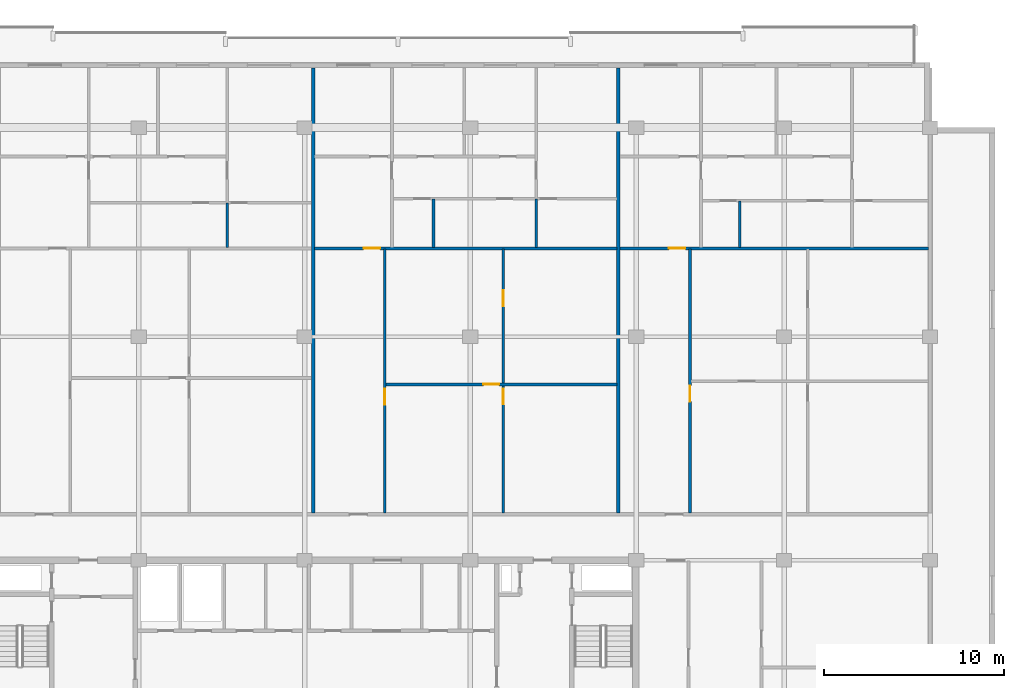
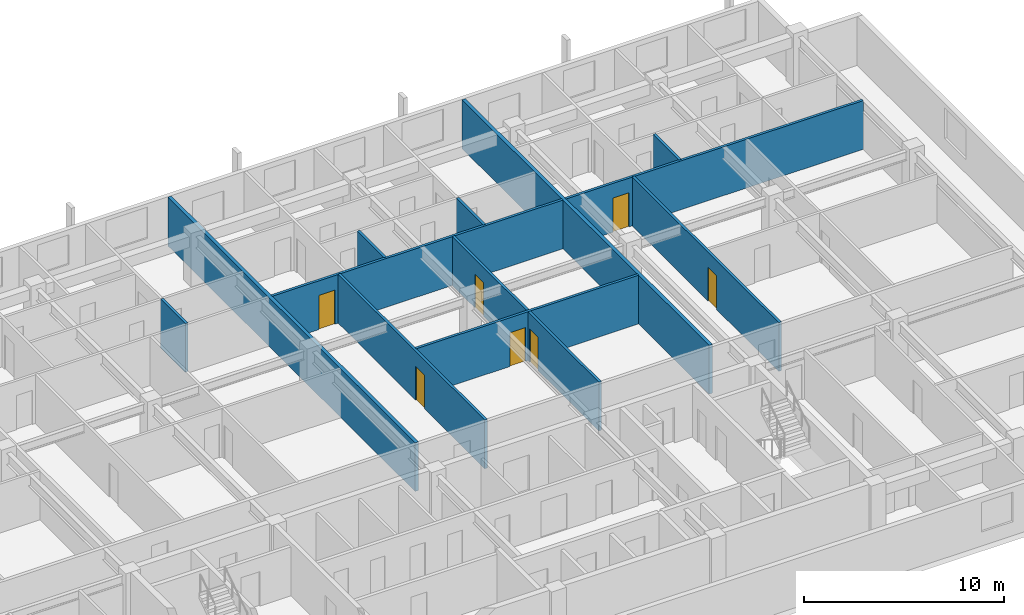
# One storey, part 14 of 23: 12 walls, 7 doors, 7 openings.
"""IFC4 building model written with IfcOpenShell, lengths in metres."""

import ifcopenshell
import ifcopenshell.guid

model = None  # the IFC model being written
_history = None  # IfcOwnerHistory: only IFC2X3 demands one
_inside = {}  # id of a spatial element -> (the spatial element, [elements in it])
_under = {}  # id of a project, library or spatial element -> (it, [spatial elements below it])
_declared = {}  # id of a project -> (the project, [libraries it declares])
_typed = {}  # id of a type object -> (the type object, [elements of that type])
_made_of = {}  # id of a material, layer set ... -> (it, [elements and type objects made of it])


def new_model(schema):
    """Start an empty IFC model of exactly this schema.

    Asked for "IFC4X3", IfcOpenShell would pick the latest addendum, in which some entities
    have other attributes; the version numbers below select the first issue.
    IFC2X3 requires an IfcOwnerHistory on every rooted entity: one is made here for all.
    """
    global model, _history
    if schema == "IFC4X3":
        model = ifcopenshell.file(schema_version=(4, 3, 0, 0))
    else:
        model = ifcopenshell.file(schema=schema)
    _inside.clear()
    _under.clear()
    _declared.clear()
    _typed.clear()
    _made_of.clear()
    _history = None
    if model.schema == "IFC2X3":
        org = make("IfcOrganization", Name="unknown")
        user = make(
            "IfcPersonAndOrganization",
            ThePerson=make("IfcPerson", FamilyName="unknown"),
            TheOrganization=org,
        )
        app = make(
            "IfcApplication",
            ApplicationDeveloper=org,
            Version="unknown",
            ApplicationFullName="unknown",
            ApplicationIdentifier="unknown",
        )
        _history = make(
            "IfcOwnerHistory",
            OwningUser=user,
            OwningApplication=app,
            ChangeAction="ADDED",
            CreationDate=0,
        )
    return model


def make(cls, **values):
    """One entity of the class cls with the attributes given. An attribute that is None is left unset."""
    return model.create_entity(
        cls, **{name: value for name, value in values.items() if value is not None}
    )


def rooted(cls, **values):
    """An entity with a GlobalId (a new one), such as an element, a storey or a relation."""
    return make(cls, GlobalId=ifcopenshell.guid.new(), OwnerHistory=_history, **values)


def si_unit(unit_type, name, prefix=None):
    """IfcSIUnit, for example si_unit("LENGTHUNIT", "METRE", prefix="MILLI")."""
    return make("IfcSIUnit", UnitType=unit_type, Prefix=prefix, Name=name)


def assignment(units):
    """IfcUnitAssignment: the units of a project."""
    return None if units is None else make("IfcUnitAssignment", Units=units)


def point(xyz):
    """IfcCartesianPoint."""
    return None if xyz is None else make("IfcCartesianPoint", Coordinates=xyz)


def direction(xyz):
    """IfcDirection."""
    return None if xyz is None else make("IfcDirection", DirectionRatios=xyz)


def frame(location, z_axis=None, x_axis=None):
    """IfcAxis2Placement3D, a coordinate frame: its origin and axes. An axis left out is left unset."""
    return make(
        "IfcAxis2Placement3D",
        Location=point(location),
        Axis=direction(z_axis),
        RefDirection=direction(x_axis),
    )


def frame_2d(location, x_axis=None):
    """IfcAxis2Placement2D, a coordinate frame in the plane: its origin and x axis."""
    return make(
        "IfcAxis2Placement2D", Location=point(location), RefDirection=direction(x_axis)
    )


def origin():
    """The frame at (0, 0, 0) with its axes left unset."""
    return frame((0.0, 0.0, 0.0))


def place(relative_to, where):
    """IfcLocalPlacement: puts the frame where relative to a parent placement (None: the world)."""
    return make(
        "IfcLocalPlacement", PlacementRelTo=relative_to, RelativePlacement=where
    )


def context(
    kind, dimensions, precision=None, world=None, true_north=None, identifier=None
):
    """IfcGeometricRepresentationContext, for example the 3D "Model" context."""
    return make(
        "IfcGeometricRepresentationContext",
        ContextIdentifier=identifier,
        ContextType=kind,
        CoordinateSpaceDimension=dimensions,
        Precision=precision,
        WorldCoordinateSystem=world,
        TrueNorth=true_north,
    )


def subcontext(parent, identifier, kind, view, scale=None):
    """IfcGeometricRepresentationSubContext, for example "Body" below "Model"."""
    return make(
        "IfcGeometricRepresentationSubContext",
        ContextIdentifier=identifier,
        ContextType=kind,
        ParentContext=parent,
        TargetScale=scale,
        TargetView=view,
    )


def project(units=None, contexts=None):
    """IfcProject with its units and contexts."""
    return rooted(
        "IfcProject",
        Name="project",
        RepresentationContexts=contexts,
        UnitsInContext=assignment(units),
    )


def spatial(cls, under=None, at=None, **own):
    """A site, building, storey or space (cls), placed at a placement, below another one or the project."""
    s = rooted(cls, ObjectPlacement=at, **own)
    if under is not None:
        _under.setdefault(under.id(), (under, []))[1].append(s)
    return s


def profile(cls, at=None, kind="AREA", **sizes):
    """A parametric profile (cls). Its sizes go by their IFC names, for example OverallWidth=200.0."""
    return make(cls, ProfileType=kind, Position=at, **sizes)


def rectangle(**sizes):
    """IfcRectangleProfileDef."""
    return profile("IfcRectangleProfileDef", **sizes)


def extrude(swept, where, along, depth):
    """IfcExtrudedAreaSolid: the profile swept, set in the frame where, extruded along a direction by depth."""
    return make(
        "IfcExtrudedAreaSolid",
        SweptArea=swept,
        Position=where,
        ExtrudedDirection=direction(along),
        Depth=depth,
    )


def shape(context_of_items, identifier, shape_type, items):
    """IfcShapeRepresentation: the items that make up one representation, for example the "Body"."""
    return make(
        "IfcShapeRepresentation",
        ContextOfItems=context_of_items,
        RepresentationIdentifier=identifier,
        RepresentationType=shape_type,
        Items=items,
    )


def material(Name=None, Category=None):
    """IfcMaterial."""
    return make("IfcMaterial", Name=Name, Category=Category)


def layer(
    of_material, thickness, ventilated=None, Name=None, Category=None, Priority=None
):
    """IfcMaterialLayer: one layer of a wall or slab, of a material (None: an air gap)."""
    return make(
        "IfcMaterialLayer",
        Material=of_material,
        LayerThickness=thickness,
        IsVentilated=ventilated,
        Name=Name,
        Category=Category,
        Priority=Priority,
    )


def layer_set(layers, Name=None):
    """IfcMaterialLayerSet."""
    return make("IfcMaterialLayerSet", MaterialLayers=layers, LayerSetName=Name)


def made_of(thing, what):
    """Note that an element or type object is made of a material, layer set ...; save() writes the relation."""
    if what is not None:
        _made_of.setdefault(what.id(), (what, []))[1].append(thing)
    return thing


def type_object(cls, material=None, **own):
    """A type object (cls), such as IfcWallType, which elements share."""
    return made_of(rooted(cls, **own), material)


def element(
    cls,
    number,
    at=None,
    inside=None,
    cuts=None,
    type_object=None,
    material=None,
    context=None,
    identifier="Body",
    shape_type=None,
    held_by="IfcProductDefinitionShape",
    body=None,
    shapes=None,
    **own,
):
    """One element of the class cls, such as IfcWall. Its Tag is "e" and its number.

    at: its placement. inside: the storey or other place that contains it. cuts: it is an
    opening in that element (IfcRelVoidsElement). A single representation is given by context,
    identifier, shape_type and body (its items); several are given by shapes. held_by: the class
    of the entity that holds the representations. save() writes the other relations.
    """
    e = rooted(cls, Tag="e%d" % number, ObjectPlacement=at, **own)
    if body is not None:
        shapes = [shape(context, identifier, shape_type, body)]
    if shapes is not None:
        e.Representation = make(held_by, Representations=shapes)
    if inside is not None:
        _inside.setdefault(inside.id(), (inside, []))[1].append(e)
    if cuts is not None:
        rooted(
            "IfcRelVoidsElement", RelatingBuildingElement=cuts, RelatedOpeningElement=e
        )
    if type_object is not None:
        _typed.setdefault(type_object.id(), (type_object, []))[1].append(e)
    return made_of(e, material)


def fill(opening, filler):
    """IfcRelFillsElement: the door or window that sits in an opening."""
    return rooted(
        "IfcRelFillsElement",
        RelatingOpeningElement=opening,
        RelatedBuildingElement=filler,
    )


def aggregate(whole, parts):
    """IfcRelAggregates: a whole, such as a stair, and the parts it consists of."""
    return rooted("IfcRelAggregates", RelatingObject=whole, RelatedObjects=parts)


def save(model, path):
    """Write the relations noted so far, then the file.

    IfcRelAggregates (storeys below a building ...), IfcRelContainedInSpatialStructure (elements
    in a storey), IfcRelDefinesByType, IfcRelAssociatesMaterial and IfcRelDeclares: one each for
    every whole, place, type object, material and project.
    """
    for whole, parts in _under.values():
        aggregate(whole, parts)
    for where, things in _inside.values():
        rooted(
            "IfcRelContainedInSpatialStructure",
            RelatedElements=things,
            RelatingStructure=where,
        )
    for kind, things in _typed.values():
        rooted("IfcRelDefinesByType", RelatedObjects=things, RelatingType=kind)
    for what, things in _made_of.values():
        rooted("IfcRelAssociatesMaterial", RelatedObjects=things, RelatingMaterial=what)
    for by, libraries in _declared.values():
        rooted("IfcRelDeclares", RelatingContext=by, RelatedDefinitions=libraries)
    model.write(path)


model = new_model("IFC4")

# Units and contexts
model_context = context("Model", 3, precision=1e-05, world=origin(), true_north=direction((0.0, 1.0)))
body_context = subcontext(model_context, "Body", "Model", "MODEL_VIEW")
ifc_project = project(units=[si_unit("LENGTHUNIT", "METRE"), si_unit("AREAUNIT", "SQUARE_METRE"), si_unit("VOLUMEUNIT", "CUBIC_METRE"), si_unit("PLANEANGLEUNIT", "RADIAN"), si_unit("MASSUNIT", "GRAM", prefix="KILO")], contexts=[model_context])

# Site, building, storey
site_placement = place(None, origin())
site = spatial("IfcSite", under=ifc_project, at=site_placement, CompositionType="ELEMENT")
building_placement = place(site_placement, origin())
building = spatial("IfcBuilding", under=site, at=building_placement, Name="Korimba Cascade Residences", CompositionType="ELEMENT")
storey_placement = place(building_placement, frame((0.0, 0.0, 162.10009765625)))
storey = spatial("IfcBuildingStorey", under=building, at=storey_placement, Name="L46", CompositionType="ELEMENT", Elevation=162.10009765625)

# Walls
ifc_material_1 = material(Name="Precast concrete C40/50", Category="concrete")
ifc_layer_1 = layer(ifc_material_1, 0.199951171875)
ifc_layer_set_1 = layer_set([ifc_layer_1], Name="Precast concrete C40/50")
wall_type_1 = type_object("IfcWallType", Name="WAL-IT-200", PredefinedType="PARTITIONING", material=ifc_layer_set_1)
for number, where, z_axis, x_axis, name in (
    (1, (94.175048828125, 69.830078125, 0.0), (0.0, 0.0, 1.0), (0.0, 1.0, 0.0), "L46 Partition Wall WAL-L46-T1-DEM-2"),
    (2, (111.110107421875, 69.830078125, 0.0), (0.0, 0.0, 1.0), (0.0, 1.0, 0.0), "L46 Partition Wall WAL-L46-T1-DEM-3"),
):
    element("IfcWall", number, at=place(storey_placement, frame(where, z_axis=z_axis, x_axis=x_axis)), inside=storey, type_object=wall_type_1, Name=name, PredefinedType="PARTITIONING", context=body_context, shape_type="SweptSolid", body=[
        extrude(rectangle(XDim=24.669921875, YDim=0.199951171875, at=frame_2d((12.3349609375, 0.0))), origin(), (0.0, 0.0, 1.0), 2.969970703125),
    ])
ifc_material_2 = material(Name="Insulated Acoustic Stud Partition", Category="gypsum")
ifc_layer_2 = layer(ifc_material_2, 0.14990234375)
ifc_layer_set_2 = layer_set([ifc_layer_2], Name="Insulated Acoustic Stud Partition")
wall_type_2 = type_object("IfcWallType", Name="WAL-PART-150", PredefinedType="PARTITIONING", material=ifc_layer_set_2)
wall_1_placement = place(storey_placement, frame((89.405029296875, 84.5400390625, 0.0), z_axis=(0.0, 0.0, 1.0), x_axis=(0.0, 1.0, 0.0)))
element("IfcWall", 3, at=wall_1_placement, inside=storey, type_object=wall_type_2, Name="L46 Partition Wall WAL-L46-T1-U02-VBATH", PredefinedType="PARTITIONING", context=body_context, shape_type="SweptSolid", body=[
    extrude(rectangle(XDim=2.469970703125, YDim=0.14990234375, at=frame_2d((1.23486328125, 0.0))), origin(), (0.0, 0.0, 1.0), 2.969970703125),
])

# Wall, openings, doors
wall_2_placement = place(storey_placement, frame((104.717529296875, 69.81005859375, 0.0), z_axis=(0.0, 0.0, 1.0), x_axis=(0.0, 1.0, 0.0)))
wall_2 = element("IfcWall", 4, at=wall_2_placement, inside=storey, type_object=wall_type_2, Name="L46 Partition Wall WAL-L46-T1-U03-FMV", PredefinedType="PARTITIONING", context=body_context, shape_type="SweptSolid", body=[
    extrude(rectangle(XDim=14.64990234375, YDim=0.14990234375, at=frame_2d((7.324951171875, 0.0))), origin(), (0.0, 0.0, 1.0), 2.969970703125),
])
opening_1_placement = place(wall_2_placement, frame((6.054931640625, 0.0, 0.0)))
opening_1 = element("IfcOpeningElement", 5, at=opening_1_placement, cuts=wall_2, Name="Opening D-BT1", PredefinedType="OPENING", context=body_context, shape_type="SweptSolid", body=[
    extrude(rectangle(XDim=0.840087890625, YDim=2.0400390625, at=frame_2d((0.419921875, 1.02001953125))), frame((0.0, 0.0849609375, 0.0), z_axis=(0.0, -1.0, 0.0), x_axis=(1.0, 0.0, 0.0)), (0.0, 0.0, 1.0), 0.169921875),
])
opening_2_placement = place(wall_2_placement, frame((11.491943359375, 0.0, 0.0)))
opening_2 = element("IfcOpeningElement", 6, at=opening_2_placement, cuts=wall_2, Name="Opening D-IN2", PredefinedType="OPENING", context=body_context, shape_type="SweptSolid", body=[
    extrude(rectangle(XDim=0.8798828125, YDim=2.06005859375, at=frame_2d((0.43994140625, 1.030029296875))), frame((0.0, 0.0849609375, 0.0), z_axis=(0.0, -1.0, 0.0), x_axis=(1.0, 0.0, 0.0)), (0.0, 0.0, 1.0), 0.169921875),
])
ifc_material_3 = material(Name="Moisture-Resistant Bathroom Timber Door", Category="wood")
door_type_1 = type_object("IfcDoorType", Name="DR-INT-850", OperationType="NOTDEFINED", PredefinedType="DOOR", material=ifc_material_3)
door_1_placement = place(opening_1_placement, origin())
door_1 = element("IfcDoor", 7, at=door_1_placement, inside=storey, type_object=door_type_1, Name="L46-T1-U03 Wardrobe Door", OperationType="SINGLE_SWING_LEFT", OverallHeight=2.0400390625, OverallWidth=0.840087890625, PredefinedType="DOOR", context=body_context, shape_type="SweptSolid", body=[
    extrude(rectangle(XDim=0.840087890625, YDim=2.0400390625, at=frame_2d((0.419921875, 1.02001953125))), frame((0.0, 0.02490234375, 0.0), z_axis=(0.0, -1.0, 0.0), x_axis=(1.0, 0.0, 0.0)), (0.0, 0.0, 1.0), 0.050048828125),
])
fill(opening_1, door_1)
ifc_material_4 = material(Name="Acoustic Timber Bedroom Door", Category="wood")
door_type_2 = type_object("IfcDoorType", Name="DR-INT-880", OperationType="NOTDEFINED", PredefinedType="DOOR", material=ifc_material_4)
door_2_placement = place(opening_2_placement, origin())
door_2 = element("IfcDoor", 8, at=door_2_placement, inside=storey, type_object=door_type_2, Name="L46-T1-U03 Music Lounge Door", OperationType="SINGLE_SWING_RIGHT", OverallHeight=2.06005859375, OverallWidth=0.8798828125, PredefinedType="DOOR", context=body_context, shape_type="SweptSolid", body=[
    extrude(rectangle(XDim=0.8798828125, YDim=2.06005859375, at=frame_2d((0.43994140625, 1.030029296875))), frame((0.0, 0.02490234375, 0.0), z_axis=(0.0, -1.0, 0.0), x_axis=(1.0, 0.0, 0.0)), (0.0, 0.0, 1.0), 0.050048828125),
])
fill(opening_2, door_2)

# Wall, opening, door
wall_3_placement = place(storey_placement, frame((98.205078125, 76.955078125, 0.0), z_axis=(0.0, 0.0, 1.0), x_axis=(1.0, 0.0, 0.0)))
wall_3 = element("IfcWall", 9, at=wall_3_placement, inside=storey, type_object=wall_type_2, Name="L46 Partition Wall WAL-L46-T1-U03-FMH", PredefinedType="PARTITIONING", context=body_context, shape_type="SweptSolid", body=[
    extrude(rectangle(XDim=12.824951171875, YDim=0.14990234375, at=frame_2d((6.41259765625, 0.0))), origin(), (0.0, 0.0, 1.0), 2.969970703125),
])
opening_3_placement = place(wall_3_placement, frame((5.41259765625, 0.0, 0.0)))
opening_3 = element("IfcOpeningElement", 10, at=opening_3_placement, cuts=wall_3, Name="Opening D-IN2", PredefinedType="OPENING", context=body_context, shape_type="SweptSolid", body=[
    extrude(rectangle(XDim=0.8798828125, YDim=2.06005859375, at=frame_2d((0.43994140625, 1.030029296875))), frame((0.0, 0.0849609375, 0.0), z_axis=(0.0, -1.0, 0.0), x_axis=(1.0, 0.0, 0.0)), (0.0, 0.0, 1.0), 0.169921875),
])
door_3_placement = place(opening_3_placement, origin())
door_3 = element("IfcDoor", 11, at=door_3_placement, inside=storey, type_object=door_type_2, Name="L46-T1-U03 Library Salon Door", OperationType="SINGLE_SWING_LEFT", OverallHeight=2.06005859375, OverallWidth=0.8798828125, PredefinedType="DOOR", context=body_context, shape_type="SweptSolid", body=[
    extrude(rectangle(XDim=0.8798828125, YDim=2.06005859375, at=frame_2d((0.43994140625, 1.030029296875))), frame((0.0, 0.02490234375, 0.0), z_axis=(0.0, -1.0, 0.0), x_axis=(1.0, 0.0, 0.0)), (0.0, 0.0, 1.0), 0.050048828125),
])
fill(opening_3, door_3)

wall_4_placement = place(storey_placement, frame((98.14501953125, 69.81005859375, 0.0), z_axis=(0.0, 0.0, 1.0), x_axis=(0.0, 1.0, 0.0)))
wall_4 = element("IfcWall", 12, at=wall_4_placement, inside=storey, type_object=wall_type_2, Name="L46 Partition Wall WAL-L46-T1-U03-FV", PredefinedType="PARTITIONING", context=body_context, shape_type="SweptSolid", body=[
    extrude(rectangle(XDim=14.64990234375, YDim=0.14990234375, at=frame_2d((7.324951171875, 0.0))), origin(), (0.0, 0.0, 1.0), 2.969970703125),
])
opening_4_placement = place(wall_4_placement, frame((6.014892578125, 0.0, 0.0)))
opening_4 = element("IfcOpeningElement", 13, at=opening_4_placement, cuts=wall_4, Name="Opening D-IN2", PredefinedType="OPENING", context=body_context, shape_type="SweptSolid", body=[
    extrude(rectangle(XDim=0.8798828125, YDim=2.06005859375, at=frame_2d((0.43994140625, 1.030029296875))), frame((0.0, 0.0849609375, 0.0), z_axis=(0.0, -1.0, 0.0), x_axis=(1.0, 0.0, 0.0)), (0.0, 0.0, 1.0), 0.169921875),
])
door_4_placement = place(opening_4_placement, origin())
door_4 = element("IfcDoor", 14, at=door_4_placement, inside=storey, type_object=door_type_2, Name="L46-T1-U03 Media Lounge Door", OperationType="SINGLE_SWING_RIGHT", OverallHeight=2.06005859375, OverallWidth=0.8798828125, PredefinedType="DOOR", context=body_context, shape_type="SweptSolid", body=[
    extrude(rectangle(XDim=0.8798828125, YDim=2.06005859375, at=frame_2d((0.43994140625, 1.030029296875))), frame((0.0, 0.02490234375, 0.0), z_axis=(0.0, -1.0, 0.0), x_axis=(1.0, 0.0, 0.0)), (0.0, 0.0, 1.0), 0.050048828125),
])
fill(opening_4, door_4)

# Walls
for number, where, z_axis, x_axis, name in (
    (15, (100.85498046875, 84.5400390625, 0.0), (0.0, 0.0, 1.0), (0.0, 1.0, 0.0), "L46 Partition Wall WAL-L46-T1-U03-VDRS"),
    (16, (106.56005859375, 84.5400390625, 0.0), (0.0, 0.0, 1.0), (0.0, 1.0, 0.0), "L46 Partition Wall WAL-L46-T1-U03-VBATH"),
):
    element("IfcWall", number, at=place(storey_placement, frame(where, z_axis=z_axis, x_axis=x_axis)), inside=storey, type_object=wall_type_2, Name=name, PredefinedType="PARTITIONING", context=body_context, shape_type="SweptSolid", body=[
        extrude(rectangle(XDim=2.68994140625, YDim=0.14990234375, at=frame_2d((1.344970703125, 0.0))), origin(), (0.0, 0.0, 1.0), 2.969970703125),
    ])

# Wall, opening, door
wall_5_placement = place(storey_placement, frame((94.2548828125, 84.5, 0.0), z_axis=(0.0, 0.0, 1.0), x_axis=(1.0, 0.0, 0.0)))
wall_5 = element("IfcWall", 17, at=wall_5_placement, inside=storey, type_object=wall_type_2, Name="L46 Partition Wall WAL-L46-T1-U03-MW", PredefinedType="PARTITIONING", context=body_context, shape_type="SweptSolid", body=[
    extrude(rectangle(XDim=16.775146484375, YDim=0.14990234375, at=frame_2d((8.3876953125, 0.0))), origin(), (0.0, 0.0, 1.0), 2.969970703125),
])
opening_5_placement = place(wall_5_placement, frame((2.719970703125, 0.0, 0.0)))
opening_5 = element("IfcOpeningElement", 18, at=opening_5_placement, cuts=wall_5, Name="Opening D-IN1", PredefinedType="OPENING", context=body_context, shape_type="SweptSolid", body=[
    extrude(rectangle(XDim=0.919921875, YDim=2.080078125, at=frame_2d((0.4599609375, 1.0400390625))), frame((0.0, 0.0849609375, 0.0), z_axis=(0.0, -1.0, 0.0), x_axis=(1.0, 0.0, 0.0)), (0.0, 0.0, 1.0), 0.169921875),
])
ifc_material_5 = material(Name="Acoustic Timber Living Door", Category="wood")
door_type_3 = type_object("IfcDoorType", Name="DR-INT-920", OperationType="NOTDEFINED", PredefinedType="DOOR", material=ifc_material_5)
door_5_placement = place(opening_5_placement, origin())
door_5 = element("IfcDoor", 19, at=door_5_placement, inside=storey, type_object=door_type_3, Name="L46-T1-U03 Kitchen Door", OperationType="SINGLE_SWING_RIGHT", OverallHeight=2.080078125, OverallWidth=0.919921875, PredefinedType="DOOR", context=body_context, shape_type="SweptSolid", body=[
    extrude(rectangle(XDim=0.919921875, YDim=2.080078125, at=frame_2d((0.4599609375, 1.0400390625))), frame((0.0, 0.02490234375, 0.0), z_axis=(0.0, -1.0, 0.0), x_axis=(1.0, 0.0, 0.0)), (0.0, 0.0, 1.0), 0.050048828125),
])
fill(opening_5, door_5)

wall_6_placement = place(storey_placement, frame((115.080078125, 69.81005859375, 0.0), z_axis=(0.0, 0.0, 1.0), x_axis=(0.0, 1.0, 0.0)))
wall_6 = element("IfcWall", 20, at=wall_6_placement, inside=storey, type_object=wall_type_2, Name="L46 Partition Wall WAL-L46-T1-U04-FV", PredefinedType="PARTITIONING", context=body_context, shape_type="SweptSolid", body=[
    extrude(rectangle(XDim=14.64990234375, YDim=0.14990234375, at=frame_2d((7.324951171875, 0.0))), origin(), (0.0, 0.0, 1.0), 2.969970703125),
])
opening_6_placement = place(wall_6_placement, frame((6.195068359375, 0.0, 0.0)))
opening_6 = element("IfcOpeningElement", 21, at=opening_6_placement, cuts=wall_6, Name="Opening D-IN2", PredefinedType="OPENING", context=body_context, shape_type="SweptSolid", body=[
    extrude(rectangle(XDim=0.8798828125, YDim=2.06005859375, at=frame_2d((0.43994140625, 1.030029296875))), frame((0.0, 0.0849609375, 0.0), z_axis=(0.0, -1.0, 0.0), x_axis=(1.0, 0.0, 0.0)), (0.0, 0.0, 1.0), 0.169921875),
])
door_6_placement = place(opening_6_placement, origin())
door_6 = element("IfcDoor", 22, at=door_6_placement, inside=storey, type_object=door_type_2, Name="L46-T1-U04 Media Lounge Door", OperationType="SINGLE_SWING_LEFT", OverallHeight=2.06005859375, OverallWidth=0.8798828125, PredefinedType="DOOR", context=body_context, shape_type="SweptSolid", body=[
    extrude(rectangle(XDim=0.8798828125, YDim=2.06005859375, at=frame_2d((0.43994140625, 1.030029296875))), frame((0.0, 0.02490234375, 0.0), z_axis=(0.0, -1.0, 0.0), x_axis=(1.0, 0.0, 0.0)), (0.0, 0.0, 1.0), 0.050048828125),
])
fill(opening_6, door_6)

# Wall
wall_7_placement = place(storey_placement, frame((117.840087890625, 84.5400390625, 0.0), z_axis=(0.0, 0.0, 1.0), x_axis=(0.0, 1.0, 0.0)))
element("IfcWall", 23, at=wall_7_placement, inside=storey, type_object=wall_type_2, Name="L46 Partition Wall WAL-L46-T1-U04-VDRS", PredefinedType="PARTITIONING", context=body_context, shape_type="SweptSolid", body=[
    extrude(rectangle(XDim=2.580078125, YDim=0.14990234375, at=frame_2d((1.2900390625, 0.0))), origin(), (0.0, 0.0, 1.0), 2.969970703125),
])

# Wall, opening, door
wall_8_placement = place(storey_placement, frame((111.190185546875, 84.5, 0.0), z_axis=(0.0, 0.0, 1.0), x_axis=(1.0, 0.0, 0.0)))
wall_8 = element("IfcWall", 24, at=wall_8_placement, inside=storey, type_object=wall_type_2, Name="L46 Partition Wall WAL-L46-T1-U04-MW", PredefinedType="PARTITIONING", context=body_context, shape_type="SweptSolid", body=[
    extrude(rectangle(XDim=17.1298828125, YDim=0.14990234375, at=frame_2d((8.56494140625, 0.0))), origin(), (0.0, 0.0, 1.0), 2.969970703125),
])
opening_7_placement = place(wall_8_placement, frame((2.719970703125, 0.0, 0.0)))
opening_7 = element("IfcOpeningElement", 25, at=opening_7_placement, cuts=wall_8, Name="Opening D-IN1", PredefinedType="OPENING", context=body_context, shape_type="SweptSolid", body=[
    extrude(rectangle(XDim=0.919921875, YDim=2.080078125, at=frame_2d((0.4599609375, 1.0400390625))), frame((0.0, 0.0849609375, 0.0), z_axis=(0.0, -1.0, 0.0), x_axis=(1.0, 0.0, 0.0)), (0.0, 0.0, 1.0), 0.169921875),
])
door_7_placement = place(opening_7_placement, origin())
door_7 = element("IfcDoor", 26, at=door_7_placement, inside=storey, type_object=door_type_3, Name="L46-T1-U04 Kitchen Door", OperationType="SINGLE_SWING_LEFT", OverallHeight=2.080078125, OverallWidth=0.919921875, PredefinedType="DOOR", context=body_context, shape_type="SweptSolid", body=[
    extrude(rectangle(XDim=0.919921875, YDim=2.080078125, at=frame_2d((0.4599609375, 1.0400390625))), frame((0.0, 0.02490234375, 0.0), z_axis=(0.0, -1.0, 0.0), x_axis=(1.0, 0.0, 0.0)), (0.0, 0.0, 1.0), 0.050048828125),
])
fill(opening_7, door_7)

save(model, "model.ifc")
